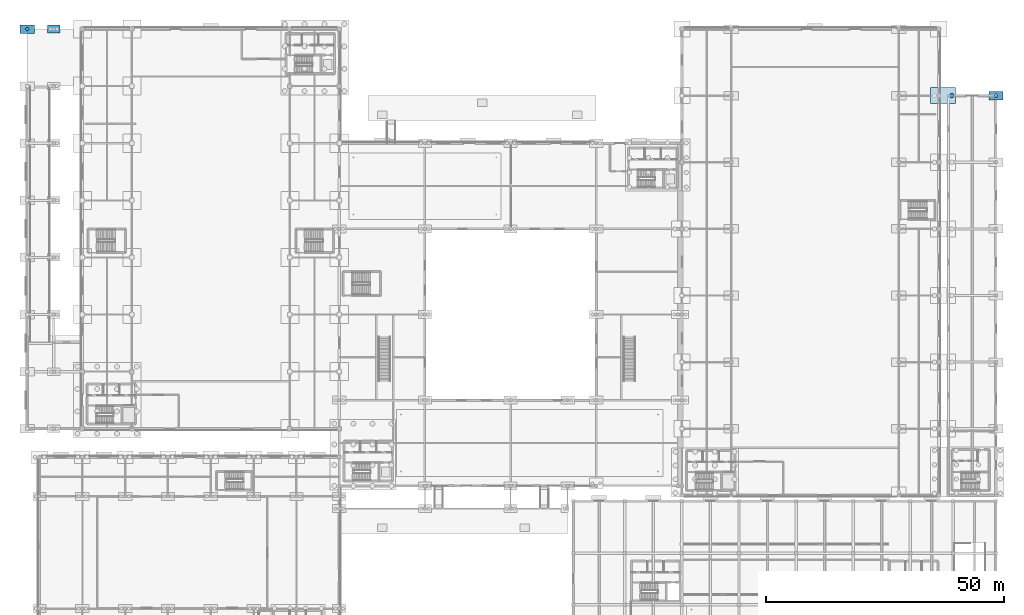
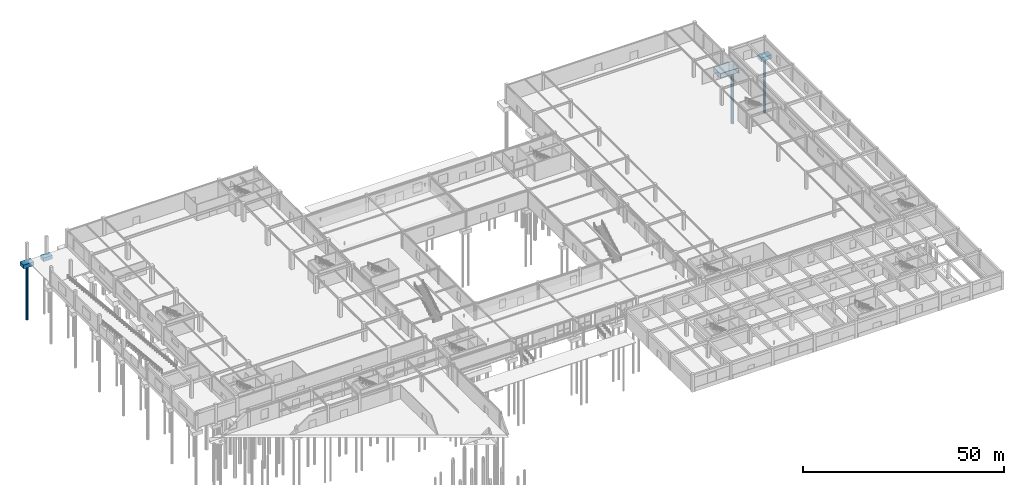
# One storey, part 5 of 53: 4 footings, 3 piles.
"""IFC4 building model written with IfcOpenShell, lengths in metres."""

from ifc_helpers import new_model, si_unit, derived_unit, direction, frame, origin, origin_2d, place, context, subcontext, project, spatial, polyline, circle, outline, extrude, material, layer, layer_set, material_profile, profile_set, type_object, element, save


model = new_model("IFC4")

# Units and contexts
model_context = context("Model", 3, precision=1e-05, world=origin(), true_north=direction((0.0, 1.0)))
body_context = subcontext(model_context, "Body", "Model", "MODEL_VIEW")
ifc_project = project(units=[si_unit("LENGTHUNIT", "METRE"), si_unit("AREAUNIT", "SQUARE_METRE"), si_unit("VOLUMEUNIT", "CUBIC_METRE"), si_unit("PLANEANGLEUNIT", "RADIAN"), si_unit("MASSUNIT", "GRAM", prefix="KILO"), derived_unit("THERMALTRANSMITTANCEUNIT", [(si_unit("POWERUNIT", "WATT"), 1), (si_unit("LENGTHUNIT", "METRE"), -2), (si_unit("THERMODYNAMICTEMPERATUREUNIT", "KELVIN"), -1)])], contexts=[model_context])

# Site, building, storey
site_placement = place(None, origin())
site = spatial("IfcSite", under=ifc_project, at=site_placement, CompositionType="ELEMENT")
building_placement = place(site_placement, origin())
building = spatial("IfcBuilding", under=site, at=building_placement, Name="Almenara Railside Exhibition Hall", CompositionType="ELEMENT")
storey_placement = place(building_placement, origin())
storey = spatial("IfcBuildingStorey", under=building, at=storey_placement, Name="L00", CompositionType="ELEMENT", Elevation=0.0)

# Piles
ifc_material = material(Name="Concrete C40/50", Category="concrete")
ifc_material_profile_1 = material_profile(ifc_material, circle(Radius=0.375, at=origin_2d()), Name="CFA-PILE D750")
ifc_profile_set_1 = profile_set([ifc_material_profile_1], Name="Concrete C40/50")
pile_type_1 = type_object("IfcPileType", Name="CFA Bored Pile D750 C40/50", PredefinedType="BORED", material=ifc_profile_set_1)
for number, where, z_axis, x_axis, name in (
    (1, (0.39990234375, 132.0, -1.5400390625), (0.0, 0.0, -1.0), (1.0, 0.0, 0.0), "Bored pile 0318"),
    (2, (204.0, 118.0, -1.5400390625), (0.0, 0.0, -1.0), (1.0, 0.0, 0.0), "Bored pile 0421"),
):
    element("IfcPile", number, at=place(storey_placement, frame(where, z_axis=z_axis, x_axis=x_axis)), inside=storey, type_object=pile_type_1, Name=name, PredefinedType="BORED", context=body_context, shape_type="SweptSolid", body=[
        extrude(circle(Radius=0.375, at=origin_2d()), origin(), (0.0, 0.0, 1.0), 16.4599609375),
    ])
ifc_material_profile_2 = material_profile(ifc_material, circle(Radius=0.449951171875, at=origin_2d()), Name="CFA-PILE D900")
ifc_profile_set_2 = profile_set([ifc_material_profile_2], Name="Concrete C40/50")
pile_type_2 = type_object("IfcPileType", Name="CFA Bored Pile D900 C40/50", PredefinedType="BORED", material=ifc_profile_set_2)
pile_placement = place(storey_placement, frame((194.72998046875, 118.0, -1.739990234375), z_axis=(0.0, 0.0, -1.0), x_axis=(1.0, 0.0, 0.0)))
element("IfcPile", 3, at=pile_placement, inside=storey, type_object=pile_type_2, Name="Bored pile 0196", PredefinedType="BORED", context=body_context, shape_type="SweptSolid", body=[
    extrude(circle(Radius=0.449951171875, at=origin_2d()), origin(), (0.0, 0.0, 1.0), 16.260009765625),
])

# Footings
ifc_layer_1 = layer(ifc_material, 1.199951171875, Name="Concrete C40/50")
ifc_layer_set_1 = layer_set([ifc_layer_1], Name="Concrete C40/50")
footing_type_1 = type_object("IfcFootingType", Name="Gallery Two-Pile Cap 3000x1800x1200 C40/50", PredefinedType="PILE_CAP", material=ifc_layer_set_1)
footing_1_placement = place(storey_placement, frame((0.0, 0.0, -1.639892578125)))
element("IfcFooting", 4, at=footing_1_placement, inside=storey, type_object=footing_type_1, Name="Pile cap PC-2G-122", PredefinedType="PILE_CAP", context=body_context, shape_type="SweptSolid", body=[
    extrude(outline(polyline([(-1.10009765625, 131.10009765625), (1.89990234375, 131.10009765625), (1.89990234375, 132.89990234375), (-1.10009765625, 132.89990234375), (-1.10009765625, 131.10009765625)])), origin(), (0.0, 0.0, 1.0), 1.199951171875),
])
footing_2_placement = place(storey_placement, frame((0.0, 0.0, -1.639892578125)))
element("IfcFooting", 5, at=footing_2_placement, inside=storey, type_object=footing_type_1, Name="Pile cap PC-2G-159", PredefinedType="PILE_CAP", context=body_context, shape_type="SweptSolid", body=[
    extrude(outline(polyline([(202.5, 117.10009765625), (205.5, 117.10009765625), (205.5, 118.89990234375), (202.5, 118.89990234375), (202.5, 117.10009765625)])), origin(), (0.0, 0.0, 1.0), 1.199951171875),
])
ifc_layer_2 = layer(ifc_material, 1.39990234375, Name="Concrete C40/50")
ifc_layer_set_2 = layer_set([ifc_layer_2], Name="Concrete C40/50")
footing_type_2 = type_object("IfcFootingType", Name="Hall Four-Pile Cap 3400x3400x1400 C40/50", PredefinedType="PILE_CAP", material=ifc_layer_set_2)
footing_3_placement = place(storey_placement, frame((0.0, 0.0, -1.840087890625)))
element("IfcFooting", 6, at=footing_3_placement, inside=storey, type_object=footing_type_2, Name="Pile cap PC-4H-054", PredefinedType="PILE_CAP", context=body_context, shape_type="SweptSolid", body=[
    extrude(outline(polyline([(190.300048828125, 116.300048828125), (195.5, 116.300048828125), (195.5, 119.699951171875), (190.300048828125, 119.699951171875), (190.300048828125, 116.300048828125)])), origin(), (0.0, 0.0, 1.0), 1.400146484375),
])
ifc_layer_3 = layer(ifc_material, 1.10009765625, Name="Concrete C40/50")
ifc_layer_set_3 = layer_set([ifc_layer_3], Name="Concrete C40/50")
footing_type_3 = type_object("IfcFootingType", Name="Ramp Two-Pile Cap 2600x1600x1100 C40/50", PredefinedType="PILE_CAP", material=ifc_layer_set_3)
footing_4_placement = place(storey_placement, frame((0.0, 0.0, -1.5400390625)))
element("IfcFooting", 7, at=footing_4_placement, inside=storey, type_object=footing_type_3, Name="Pile cap PC-2R-123", PredefinedType="PILE_CAP", context=body_context, shape_type="SweptSolid", body=[
    extrude(outline(polyline([(4.699951171875, 131.199951171875), (7.300048828125, 131.199951171875), (7.300048828125, 132.800048828125), (4.699951171875, 132.800048828125), (4.699951171875, 131.199951171875)])), origin(), (0.0, 0.0, 1.0), 1.10009765625),
])

save(model, "model.ifc")
